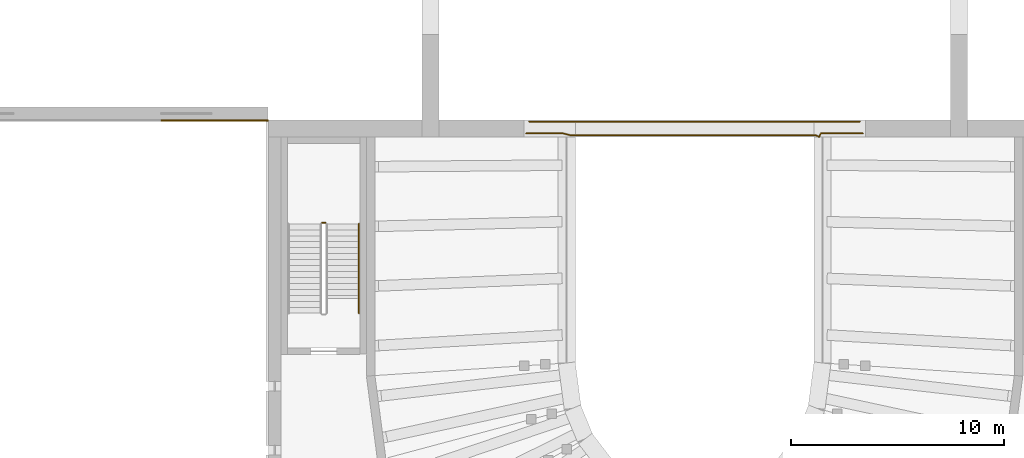
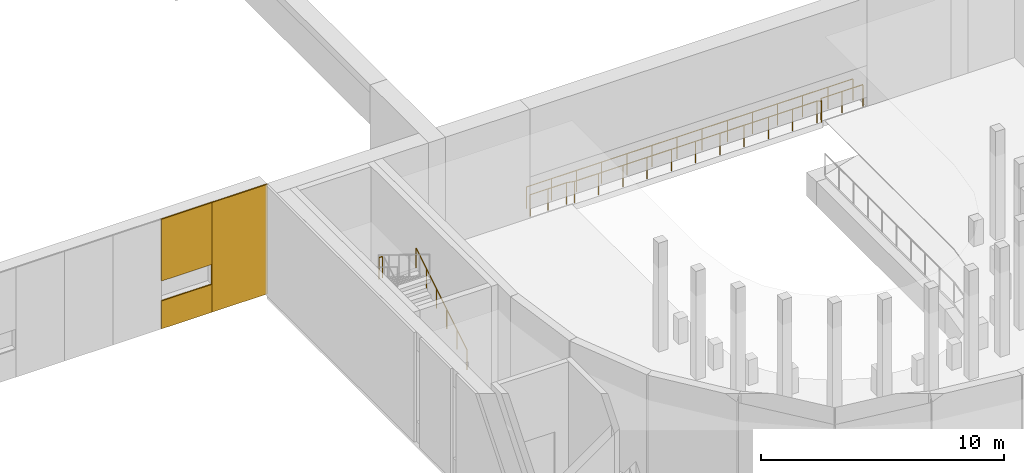
# One storey, part 69 of 87: 5 railings, 3 coverings.
"""IFC4 building model written with IfcOpenShell, lengths in metres."""

from ifc_helpers import new_model, si_unit, direction, frame, origin, origin_2d, place, context, subcontext, project, spatial, rectangle, circle, extrude, material, layer, layer_set, type_object, element, save


model = new_model("IFC4")

# Units and contexts
model_context = context("Model", 3, precision=1e-05, world=origin(), true_north=direction((0.0, 1.0)))
body_context = subcontext(model_context, "Body", "Model", "MODEL_VIEW")
ifc_project = project(units=[si_unit("LENGTHUNIT", "METRE"), si_unit("AREAUNIT", "SQUARE_METRE"), si_unit("VOLUMEUNIT", "CUBIC_METRE"), si_unit("PLANEANGLEUNIT", "RADIAN"), si_unit("MASSUNIT", "GRAM", prefix="KILO")], contexts=[model_context])

# Site, building, storey
site_placement = place(None, origin())
site = spatial("IfcSite", under=ifc_project, at=site_placement, CompositionType="ELEMENT")
building_placement = place(site_placement, origin())
building = spatial("IfcBuilding", under=site, at=building_placement, Name="Lunette Opera House", CompositionType="ELEMENT")
storey_placement = place(building_placement, frame((0.0, 0.0, 11.5)))
storey = spatial("IfcBuildingStorey", under=building, at=storey_placement, Name="L02", CompositionType="ELEMENT", Elevation=11.5)

# Railings
ifc_material_1 = material(Name="Steel S355", Category="steel")
railing_type_1 = type_object("IfcRailingType", Name="DECK GUARD 1100", PredefinedType="GUARDRAIL", material=ifc_material_1)
railing_1_placement = place(storey_placement, frame((103.75, 95.919921875, 0.0)))
element("IfcRailing", 1, at=railing_1_placement, inside=storey, type_object=railing_type_1, Name="Deck guard 003", PredefinedType="GUARDRAIL", context=body_context, shape_type="SweptSolid", body=[
    extrude(circle(Radius=0.02392578125, at=origin_2d()), frame((0.0, 0.0, 1.076171875), z_axis=(-1.0, 0.0, 0.0), x_axis=(0.0, -1.0, 0.0)), (0.0, 0.0, 1.0), 15.5),
    extrude(circle(Radius=0.02099609375, at=origin_2d()), origin(), (0.0, 0.0, 1.0), 1.052001953125),
    extrude(circle(Radius=0.02099609375, at=origin_2d()), frame((-1.1923828125, 0.0, 0.0)), (0.0, 0.0, 1.0), 1.052001953125),
    extrude(circle(Radius=0.02099609375, at=origin_2d()), frame((-2.384521484375, 0.0, 0.0)), (0.0, 0.0, 1.0), 1.052001953125),
    extrude(circle(Radius=0.02099609375, at=origin_2d()), frame((-3.576904296875, 0.0, 0.0)), (0.0, 0.0, 1.0), 1.052001953125),
    extrude(circle(Radius=0.02099609375, at=origin_2d()), frame((-4.769287109375, 0.0, 0.0)), (0.0, 0.0, 1.0), 1.052001953125),
    extrude(circle(Radius=0.02099609375, at=origin_2d()), frame((-5.96142578125, 0.0, 0.0)), (0.0, 0.0, 1.0), 1.052001953125),
    extrude(circle(Radius=0.02099609375, at=origin_2d()), frame((-7.15380859375, 0.0, 0.0)), (0.0, 0.0, 1.0), 1.052001953125),
    extrude(circle(Radius=0.02099609375, at=origin_2d()), frame((-8.34619140625, 0.0, 0.0)), (0.0, 0.0, 1.0), 1.052001953125),
    extrude(circle(Radius=0.02099609375, at=origin_2d()), frame((-9.53857421875, 0.0, 0.0)), (0.0, 0.0, 1.0), 1.052001953125),
    extrude(circle(Radius=0.02099609375, at=origin_2d()), frame((-10.730712890625, 0.0, 0.0)), (0.0, 0.0, 1.0), 1.052001953125),
    extrude(circle(Radius=0.02099609375, at=origin_2d()), frame((-11.923095703125, 0.0, 0.0)), (0.0, 0.0, 1.0), 1.052001953125),
    extrude(circle(Radius=0.02099609375, at=origin_2d()), frame((-13.115478515625, 0.0, 0.0)), (0.0, 0.0, 1.0), 1.052001953125),
    extrude(circle(Radius=0.02099609375, at=origin_2d()), frame((-14.3076171875, 0.0, 0.0)), (0.0, 0.0, 1.0), 1.052001953125),
    extrude(circle(Radius=0.02099609375, at=origin_2d()), frame((-15.5, 0.0, 0.0)), (0.0, 0.0, 1.0), 1.052001953125),
])
railing_2_placement = place(storey_placement, frame((90.159912109375, 95.280029296875, 0.0)))
element("IfcRailing", 2, at=railing_2_placement, inside=storey, type_object=railing_type_1, Name="Deck guard 004", PredefinedType="GUARDRAIL", context=body_context, shape_type="SweptSolid", body=[
    extrude(circle(Radius=0.02392578125, at=origin_2d()), frame((0.0, 0.0, 1.076171875), z_axis=(1.0, 0.0, 0.0), x_axis=(0.0, 1.0, 0.0)), (0.0, 0.0, 1.0), 11.51318359375),
    extrude(circle(Radius=0.02392578125, at=origin_2d()), frame((11.51318359375, 0.0, 1.076171875), z_axis=(0.901687560078, -0.432388186704, 0.0), x_axis=(0.432388186704, 0.901687560078, 0.0)), (0.0, 0.0, 1.0), 0.185302734375),
    extrude(circle(Radius=0.02392578125, at=origin_2d()), frame((11.68017578125, -0.080078125, 1.076171875), z_axis=(0.446121832983, 0.894972239869, 0.0), x_axis=(-0.894972239869, 0.446121832983, 0.0)), (0.0, 0.0, 1.0), 0.178955078125),
    extrude(circle(Radius=0.02392578125, at=origin_2d()), frame((11.760009765625, 0.080078125, 1.076171875), z_axis=(1.0, 0.0, 0.0), x_axis=(0.0, 1.0, 0.0)), (0.0, 0.0, 1.0), 1.98095703125),
    extrude(circle(Radius=0.02099609375, at=origin_2d()), origin(), (0.0, 0.0, 1.0), 1.052001953125),
    extrude(circle(Radius=0.02099609375, at=origin_2d()), frame((1.1513671875, 0.0, 0.0)), (0.0, 0.0, 1.0), 1.052001953125),
    extrude(circle(Radius=0.02099609375, at=origin_2d()), frame((2.302734375, 0.0, 0.0)), (0.0, 0.0, 1.0), 1.052001953125),
    extrude(circle(Radius=0.02099609375, at=origin_2d()), frame((3.453857421875, 0.0, 0.0)), (0.0, 0.0, 1.0), 1.052001953125),
    extrude(circle(Radius=0.02099609375, at=origin_2d()), frame((4.605224609375, 0.0, 0.0)), (0.0, 0.0, 1.0), 1.052001953125),
    extrude(circle(Radius=0.02099609375, at=origin_2d()), frame((5.756591796875, 0.0, 0.0)), (0.0, 0.0, 1.0), 1.052001953125),
    extrude(circle(Radius=0.02099609375, at=origin_2d()), frame((6.907958984375, 0.0, 0.0)), (0.0, 0.0, 1.0), 1.052001953125),
    extrude(circle(Radius=0.02099609375, at=origin_2d()), frame((8.059326171875, 0.0, 0.0)), (0.0, 0.0, 1.0), 1.052001953125),
    extrude(circle(Radius=0.02099609375, at=origin_2d()), frame((9.21044921875, 0.0, 0.0)), (0.0, 0.0, 1.0), 1.052001953125),
    extrude(circle(Radius=0.02099609375, at=origin_2d()), frame((10.36181640625, 0.0, 0.0)), (0.0, 0.0, 1.0), 1.052001953125),
    extrude(circle(Radius=0.02099609375, at=origin_2d()), frame((11.51318359375, 0.0, 0.0)), (0.0, 0.0, 1.0), 1.052001953125),
    extrude(circle(Radius=0.02099609375, at=origin_2d()), frame((11.68017578125, -0.080078125, 0.0)), (0.0, 0.0, 1.0), 1.052001953125),
    extrude(circle(Radius=0.02099609375, at=origin_2d()), frame((11.760009765625, 0.080078125, 0.0)), (0.0, 0.0, 1.0), 1.052001953125),
    extrude(circle(Radius=0.02099609375, at=origin_2d()), frame((12.75048828125, 0.080078125, 0.0)), (0.0, 0.0, 1.0), 1.052001953125),
    extrude(circle(Radius=0.02099609375, at=origin_2d()), frame((13.740966796875, 0.080078125, 0.0)), (0.0, 0.0, 1.0), 1.052001953125),
])
railing_3_placement = place(storey_placement, frame((88.09912109375, 95.360107421875, 0.0)))
element("IfcRailing", 3, at=railing_3_placement, inside=storey, type_object=railing_type_1, Name="Deck guard 005", PredefinedType="GUARDRAIL", context=body_context, shape_type="SweptSolid", body=[
    extrude(circle(Radius=0.02392578125, at=origin_2d()), frame((0.0, 0.0, 1.076171875), z_axis=(1.0, 0.0, 0.0), x_axis=(0.0, 1.0, 0.0)), (0.0, 0.0, 1.0), 1.73291015625),
    extrude(circle(Radius=0.02392578125, at=origin_2d()), frame((1.73291015625, 0.0, 1.076171875), z_axis=(0.971447186757, -0.237255902648, 0.0), x_axis=(0.237255902648, 0.971447186757, 0.0)), (0.0, 0.0, 1.0), 0.33740234375),
    extrude(circle(Radius=0.02099609375, at=origin_2d()), origin(), (0.0, 0.0, 1.0), 1.052001953125),
    extrude(circle(Radius=0.02099609375, at=origin_2d()), frame((0.866455078125, 0.0, 0.0)), (0.0, 0.0, 1.0), 1.052001953125),
    extrude(circle(Radius=0.02099609375, at=origin_2d()), frame((1.73291015625, 0.0, 0.0)), (0.0, 0.0, 1.0), 1.052001953125),
    extrude(circle(Radius=0.02099609375, at=origin_2d()), frame((2.060791015625, -0.080078125, 0.0)), (0.0, 0.0, 1.0), 1.052001953125),
])
ifc_material_2 = material(Name="Steel S355", Category="steel")
railing_type_2 = type_object("IfcRailingType", Name="STAIR GUARD 1100", PredefinedType="GUARDRAIL", material=ifc_material_2)
railing_4_placement = place(storey_placement, frame((78.679931640625, 91.169921875, 2.75)))
element("IfcRailing", 4, at=railing_4_placement, inside=storey, type_object=railing_type_2, Name="L02 ST10 stair guard 2", PredefinedType="GUARDRAIL", context=body_context, shape_type="SweptSolid", body=[
    extrude(circle(Radius=0.02392578125, at=origin_2d()), frame((0.0, 0.0, 1.076171875), z_axis=(-1.0, 0.0, 0.0), x_axis=(0.0, -1.0, 0.0)), (0.0, 0.0, 1.0), 0.159912109375),
    extrude(circle(Radius=0.02099609375, at=origin_2d()), origin(), (0.0, 0.0, 1.0), 1.052001953125),
    extrude(circle(Radius=0.02099609375, at=origin_2d()), frame((-0.159912109375, 0.0, 0.0)), (0.0, 0.0, 1.0), 1.052001953125),
])
ifc_material_3 = material(Name="Steel S355", Category="steel")
railing_type_3 = type_object("IfcRailingType", Name="STAIR HANDRAIL 1000", PredefinedType="HANDRAIL", material=ifc_material_3)
railing_5_placement = place(storey_placement, frame((80.25, 86.919921875, 0.171875)))
element("IfcRailing", 5, at=railing_5_placement, inside=storey, type_object=railing_type_3, Name="L02 ST10 stair handrail 1", PredefinedType="HANDRAIL", context=body_context, shape_type="SweptSolid", body=[
    extrude(circle(Radius=0.02392578125, at=origin_2d()), frame((0.0, 0.0, 0.97607421875), z_axis=(0.0, 0.852256472501, 0.523124177495), x_axis=(-1.0, 0.0, 0.0)), (0.0, 0.0, 1.0), 4.92822265625),
    extrude(circle(Radius=0.02099609375, at=origin_2d()), origin(), (0.0, 0.0, 1.0), 0.951904296875),
    extrude(circle(Radius=0.02099609375, at=origin_2d()), frame((0.0, 0.840087890625, 0.515625)), (0.0, 0.0, 1.0), 0.951904296875),
    extrude(circle(Radius=0.02099609375, at=origin_2d()), frame((0.0, 1.68017578125, 1.03125)), (0.0, 0.0, 1.0), 0.951904296875),
    extrude(circle(Radius=0.02099609375, at=origin_2d()), frame((0.0, 2.52001953125, 1.546875)), (0.0, 0.0, 1.0), 0.951904296875),
    extrude(circle(Radius=0.02099609375, at=origin_2d()), frame((0.0, 3.360107421875, 2.0625)), (0.0, 0.0, 1.0), 0.951904296875),
    extrude(circle(Radius=0.02099609375, at=origin_2d()), frame((0.0, 4.2001953125, 2.578125)), (0.0, 0.0, 1.0), 0.951904296875),
])

# Coverings
ifc_material_4 = material(Name="Aluminium standing seam cladding", Category="aluminium")
ifc_layer = layer(ifc_material_4, 0.06005859375)
ifc_layer_set = layer_set([ifc_layer], Name="Aluminium standing seam cladding")
covering_type = type_object("IfcCoveringType", Name="STANDING SEAM CLADDING 60", PredefinedType="CLADDING", material=ifc_layer_set)
covering_1_placement = place(storey_placement, frame((72.14208984375, 95.969970703125, 0.0), z_axis=(0.0, 0.0, 1.0), x_axis=(1.0, 0.0, 0.0)))
element("IfcCovering", 6, at=covering_1_placement, inside=storey, type_object=covering_type, Name="Standing seam cladding SW-S-1 L02 30", PredefinedType="CLADDING", context=body_context, shape_type="SweptSolid", body=[
    extrude(rectangle(XDim=2.39990234375, YDim=0.06005859375, at=origin_2d()), origin(), (0.0, 0.0, 1.0), 1.39990234375),
])
covering_2_placement = place(storey_placement, frame((72.14208984375, 95.969970703125, 2.39990234375), z_axis=(0.0, 0.0, 1.0), x_axis=(1.0, 0.0, 0.0)))
element("IfcCovering", 7, at=covering_2_placement, inside=storey, type_object=covering_type, Name="Standing seam cladding SW-S-1 L02 31", PredefinedType="CLADDING", context=body_context, shape_type="SweptSolid", body=[
    extrude(rectangle(XDim=2.39990234375, YDim=0.06005859375, at=origin_2d()), origin(), (0.0, 0.0, 1.0), 3.10009765625),
])
covering_3_placement = place(storey_placement, frame((74.666015625, 95.969970703125, 0.0), z_axis=(0.0, 0.0, 1.0), x_axis=(1.0, 0.0, 0.0)))
element("IfcCovering", 8, at=covering_3_placement, inside=storey, type_object=covering_type, Name="Standing seam cladding SW-S-1 L02 40", PredefinedType="CLADDING", context=body_context, shape_type="SweptSolid", body=[
    extrude(rectangle(XDim=2.64697265625, YDim=0.06005859375, at=origin_2d()), origin(), (0.0, 0.0, 1.0), 5.5),
])

save(model, "model.ifc")
